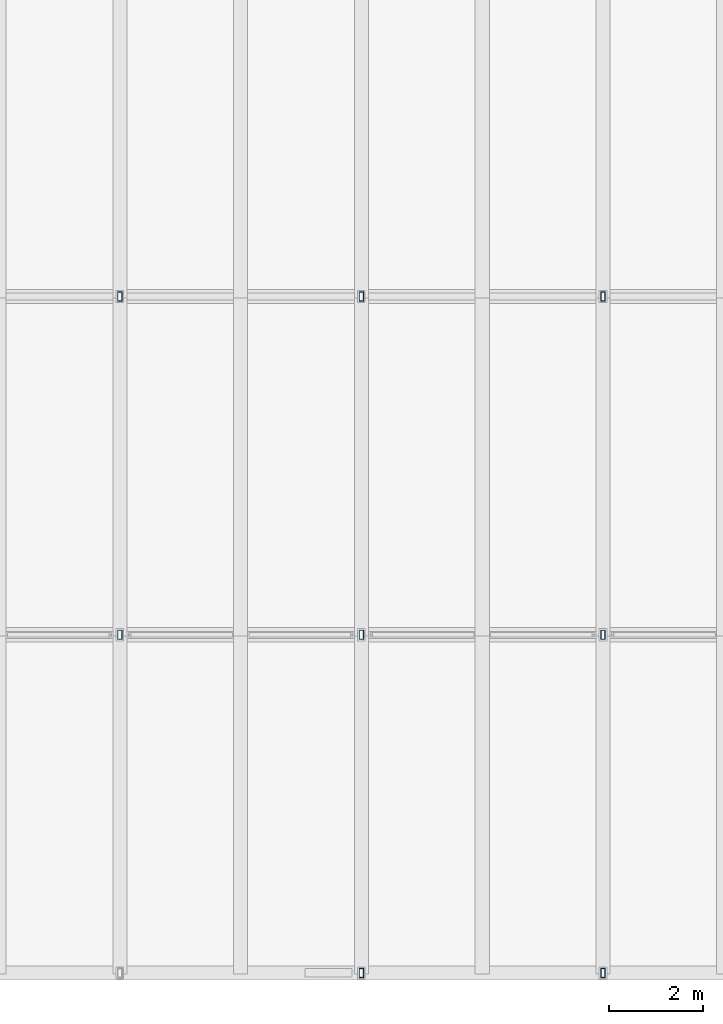
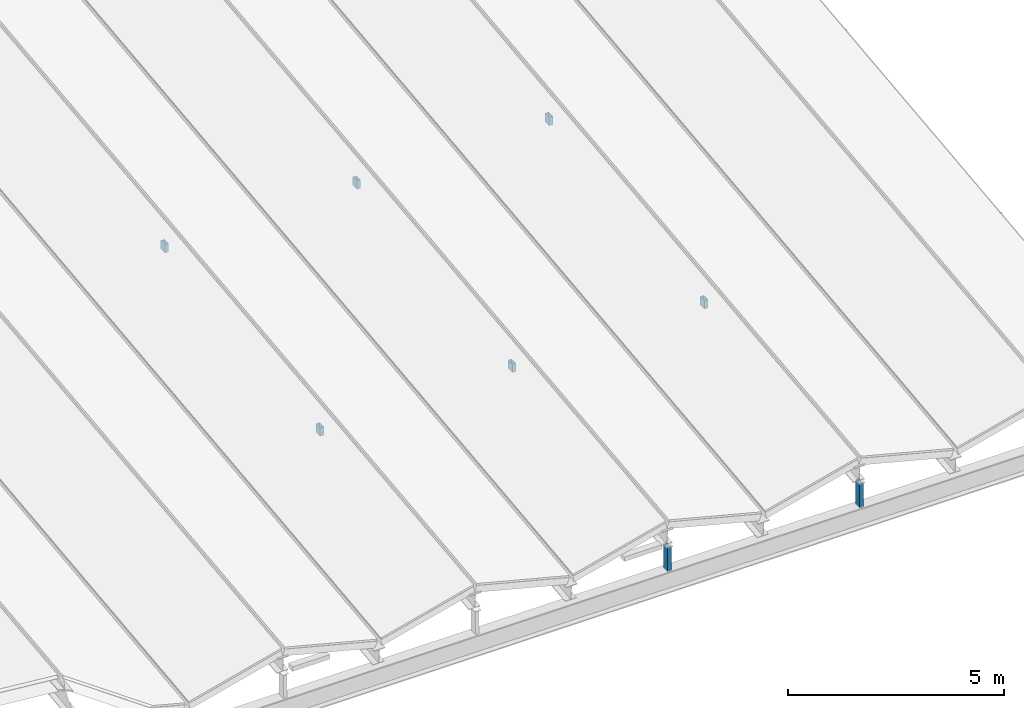
# One storey, part 19 of 39: 8 members.
"""IFC4 building model written with IfcOpenShell, lengths in metres."""

from ifc_helpers import new_model, si_unit, direction, frame, origin, origin_2d, place, context, subcontext, project, spatial, hollow_rectangle, extrude, material, material_profile, profile_set, type_object, element, save


model = new_model("IFC4")

# Units and contexts
model_context = context("Model", 3, precision=1e-05, world=origin(), true_north=direction((0.0, 1.0)))
body_context = subcontext(model_context, "Body", "Model", "MODEL_VIEW")
ifc_project = project(units=[si_unit("LENGTHUNIT", "METRE"), si_unit("AREAUNIT", "SQUARE_METRE"), si_unit("VOLUMEUNIT", "CUBIC_METRE"), si_unit("PLANEANGLEUNIT", "RADIAN"), si_unit("MASSUNIT", "GRAM", prefix="KILO"), si_unit("THERMODYNAMICTEMPERATUREUNIT", "KELVIN"), si_unit("POWERUNIT", "WATT")], contexts=[model_context])

# Site, building, storey
site_placement = place(None, origin())
site = spatial("IfcSite", under=ifc_project, at=site_placement, CompositionType="ELEMENT")
building_placement = place(site_placement, origin())
building = spatial("IfcBuilding", under=site, at=building_placement, Name="Kaldorven Railside Theatre", CompositionType="ELEMENT")
storey_placement = place(building_placement, frame((0.0, 0.0, 27.300048828125)))
storey = spatial("IfcBuildingStorey", under=building, at=storey_placement, Name="ROOF", CompositionType="ELEMENT", Elevation=27.300048828125)

# Members
ifc_material = material(Name="Steel S355", Category="steel")
ifc_material_profile = material_profile(ifc_material, hollow_rectangle(XDim=0.10009765625, YDim=0.199951171875, WallThickness=0.008056640625, at=origin_2d()), Name="RHS 200x100x8")
ifc_profile_set = profile_set([ifc_material_profile], Name="Steel S355")
member_type = type_object("IfcMemberType", Name="MEM-RHS200", PredefinedType="STRUT", material=ifc_profile_set)
for number, where, z_axis, x_axis, name in (
    (1, (110.3427734375, 84.0, -0.66552734375), (0.0, 0.0, 1.0), (1.0, 0.0, 0.0), "V2 S Gable Bearing Post"),
    (2, (115.485595703125, 84.0, -0.66552734375), (0.0, 0.0, 1.0), (1.0, 0.0, 0.0), "V2 S Gable Bearing Post"),
):
    element("IfcMember", number, at=place(storey_placement, frame(where, z_axis=z_axis, x_axis=x_axis)), inside=storey, type_object=member_type, Name=name, PredefinedType="STRUT", context=body_context, shape_type="SweptSolid", body=[
        extrude(hollow_rectangle(XDim=0.10009765625, YDim=0.199951171875, WallThickness=0.008056640625, at=origin_2d()), origin(), (0.0, 0.0, 1.0), 0.6875),
    ])
for number, where, z_axis, x_axis, name in (
    (3, (105.199951171875, 91.199951171875, 0.6044921875), (0.0, 0.0, 1.0), (1.0, 0.0, 0.0), "V2 Folded-Roof King-Post Strut STR-053"),
    (4, (105.199951171875, 98.39990234375, 1.424560546875), (0.0, 0.0, 1.0), (1.0, 0.0, 0.0), "V2 Folded-Roof King-Post Strut STR-054"),
    (5, (110.3427734375, 91.199951171875, 0.6044921875), (0.0, 0.0, 1.0), (1.0, 0.0, 0.0), "V2 Folded-Roof King-Post Strut STR-056"),
    (6, (110.3427734375, 98.39990234375, 1.424560546875), (0.0, 0.0, 1.0), (1.0, 0.0, 0.0), "V2 Folded-Roof King-Post Strut STR-057"),
    (7, (115.485595703125, 91.199951171875, 0.6044921875), (0.0, 0.0, 1.0), (1.0, 0.0, 0.0), "V2 Folded-Roof King-Post Strut STR-059"),
    (8, (115.485595703125, 98.39990234375, 1.424560546875), (0.0, 0.0, 1.0), (1.0, 0.0, 0.0), "V2 Folded-Roof King-Post Strut STR-060"),
):
    element("IfcMember", number, at=place(storey_placement, frame(where, z_axis=z_axis, x_axis=x_axis)), inside=storey, type_object=member_type, Name=name, PredefinedType="STRUT", context=body_context, shape_type="SweptSolid", body=[
        extrude(hollow_rectangle(XDim=0.10009765625, YDim=0.199951171875, WallThickness=0.008056640625, at=origin_2d()), origin(), (0.0, 0.0, 1.0), 0.235595703125),
    ])

save(model, "model.ifc")
